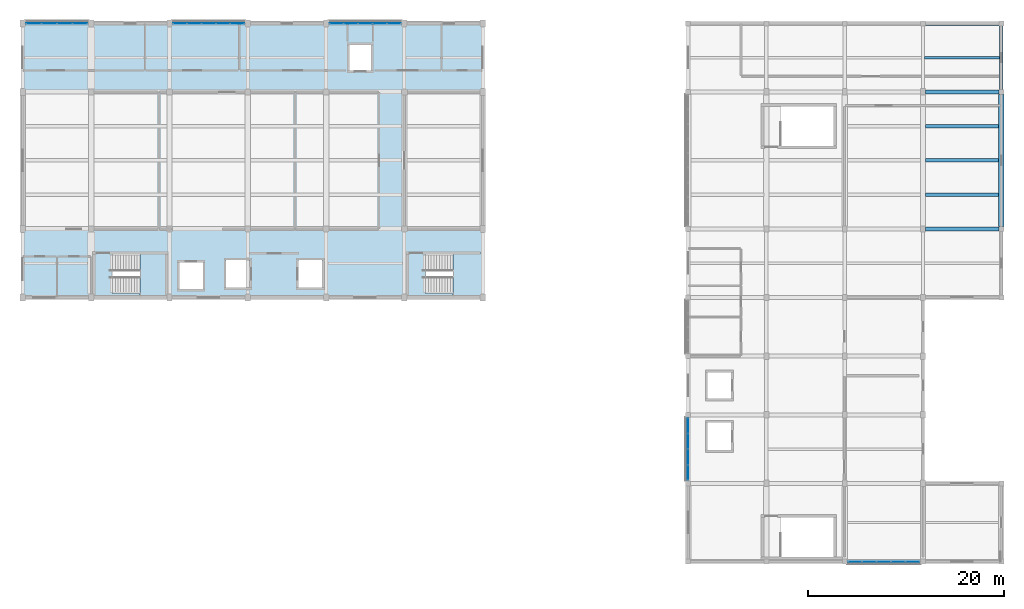
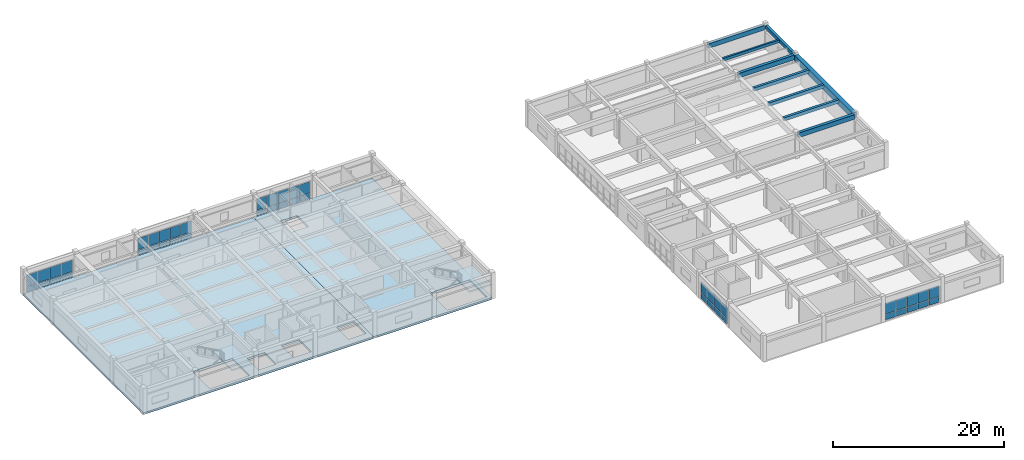
# One storey, part 8 of 17: 46 plates, 9 beams, 4 slabs, 7 elements without a shape of their own.
"""IFC4 building model written with IfcOpenShell, lengths in metres."""

from ifc_helpers import new_model, si_unit, direction, frame, origin, origin_2d, place, context, subcontext, project, spatial, polyline, rectangle, outline, extrude, material, layer, layer_set, material_profile, profile_set, type_object, element, aggregate, save


model = new_model("IFC4")

# Units and contexts
model_context = context("Model", 3, precision=1e-05, world=origin(), true_north=direction((0.0, 1.0)))
body_context = subcontext(model_context, "Body", "Model", "MODEL_VIEW")
ifc_project = project(units=[si_unit("LENGTHUNIT", "METRE"), si_unit("AREAUNIT", "SQUARE_METRE"), si_unit("VOLUMEUNIT", "CUBIC_METRE"), si_unit("PLANEANGLEUNIT", "RADIAN"), si_unit("MASSUNIT", "GRAM", prefix="KILO")], contexts=[model_context])

# Site, building, storey
site_placement = place(None, origin())
site = spatial("IfcSite", under=ifc_project, at=site_placement, CompositionType="ELEMENT")
building_placement = place(site_placement, origin())
building = spatial("IfcBuilding", under=site, at=building_placement, Name="Naurynzar Civic Courthouse", CompositionType="ELEMENT")
storey_placement = place(building_placement, frame((0.0, 0.0, 29.550048828125)))
storey = spatial("IfcBuildingStorey", under=building, at=storey_placement, Name="L08", CompositionType="ELEMENT", Elevation=29.550048828125)

# Beams
ifc_material_1 = material(Name="Concrete C40/50", Category="concrete")
ifc_material_profile_1 = material_profile(ifc_material_1, rectangle(XDim=0.25, YDim=0.39990234375, at=origin_2d()), Name="RCB 250x400")
ifc_profile_set_1 = profile_set([ifc_material_profile_1], Name="Concrete C40/50")
beam_type_1 = type_object("IfcBeamType", Name="BM-JST-250x400", PredefinedType="JOIST", material=ifc_profile_set_1)
beam_1_placement = place(storey_placement, frame((154.175048828125, 68.5, 3.22998046875), z_axis=(1.0, 0.0, 0.0), x_axis=(0.0, 1.0, 0.0)))
element("IfcBeam", 1, at=beam_1_placement, inside=storey, type_object=beam_type_1, Name="V5 secondary rib 2988 L08", PredefinedType="JOIST", context=body_context, shape_type="SweptSolid", body=[
    extrude(rectangle(XDim=0.25, YDim=0.39990234375, at=origin_2d()), origin(), (0.0, 0.0, 1.0), 7.64990234375),
])
ifc_material_2 = material(Name="Concrete C40/50", Category="concrete")
ifc_material_profile_2 = material_profile(ifc_material_2, rectangle(XDim=0.550048828125, YDim=0.85009765625, at=origin_2d()), Name="PTB 550x850")
ifc_profile_set_2 = profile_set([ifc_material_profile_2], Name="Concrete C40/50")
beam_type_2 = type_object("IfcBeamType", Name="BM-PT-550x850", PredefinedType="T_BEAM", material=ifc_profile_set_2)
beam_2_placement = place(storey_placement, frame((162.0, 51.25, 3.0048828125), z_axis=(0.0, 1.0, 0.0), x_axis=(-1.0, 0.0, 0.0)))
element("IfcBeam", 2, at=beam_2_placement, inside=storey, type_object=beam_type_2, Name="V5 girder Y-2965 L08", PredefinedType="T_BEAM", context=body_context, shape_type="SweptSolid", body=[
    extrude(rectangle(XDim=0.550048828125, YDim=0.85009765625, at=origin_2d()), origin(), (0.0, 0.0, 1.0), 13.5),
])
ifc_material_3 = material(Name="Concrete C40/50", Category="concrete")
ifc_material_profile_3 = material_profile(ifc_material_3, rectangle(XDim=0.35009765625, YDim=0.449951171875, at=origin_2d()), Name="RCB 350x450")
ifc_profile_set_3 = profile_set([ifc_material_profile_3], Name="Concrete C40/50")
beam_type_3 = type_object("IfcBeamType", Name="BM-RC-350x450", PredefinedType="BEAM", material=ifc_profile_set_3)
for number, where, z_axis, x_axis, name in (
    (3, (154.27490234375, 54.5, 3.204833984375), (1.0, 0.0, 0.0), (0.0, 1.0, 0.0), "V5 secondary rib 2982 L08"),
    (4, (154.27490234375, 58.0, 3.204833984375), (1.0, 0.0, 0.0), (0.0, 1.0, 0.0), "V5 secondary rib 2983 L08"),
    (5, (154.27490234375, 61.5, 3.204833984375), (1.0, 0.0, 0.0), (0.0, 1.0, 0.0), "V5 secondary rib 2984 L08"),
):
    element("IfcBeam", number, at=place(storey_placement, frame(where, z_axis=z_axis, x_axis=x_axis)), inside=storey, type_object=beam_type_3, Name=name, PredefinedType="BEAM", context=body_context, shape_type="SweptSolid", body=[
        extrude(rectangle(XDim=0.35009765625, YDim=0.449951171875, at=origin_2d()), origin(), (0.0, 0.0, 1.0), 7.4501953125),
    ])
ifc_material_4 = material(Name="Concrete C40/50", Category="concrete")
ifc_material_profile_4 = material_profile(ifc_material_4, rectangle(XDim=0.35009765625, YDim=0.5, at=origin_2d()), Name="RCB 350x500")
ifc_profile_set_4 = profile_set([ifc_material_profile_4], Name="Concrete C40/50")
beam_type_4 = type_object("IfcBeamType", Name="BM-RC-350x500", PredefinedType="BEAM", material=ifc_profile_set_4)
beam_3_placement = place(storey_placement, frame((162.0, 65.25, 3.179931640625), z_axis=(0.0, 1.0, 0.0), x_axis=(-1.0, 0.0, 0.0)))
element("IfcBeam", 6, at=beam_3_placement, inside=storey, type_object=beam_type_4, Name="V5 girder Y-2966 L08", PredefinedType="BEAM", context=body_context, shape_type="SweptSolid", body=[
    extrude(rectangle(XDim=0.35009765625, YDim=0.5, at=origin_2d()), origin(), (0.0, 0.0, 1.0), 6.5),
])
ifc_material_5 = material(Name="Concrete C40/50", Category="concrete")
ifc_material_profile_5 = material_profile(ifc_material_5, rectangle(XDim=0.39990234375, YDim=0.64990234375, at=origin_2d()), Name="RCB 400x650")
ifc_profile_set_5 = profile_set([ifc_material_profile_5], Name="Concrete C40/50")
beam_type_5 = type_object("IfcBeamType", Name="BM-RC-400x650", PredefinedType="BEAM", material=ifc_profile_set_5)
for number, where, z_axis, x_axis, name in (
    (7, (154.25, 51.0, 3.10498046875), (1.0, 0.0, 0.0), (0.0, 1.0, 0.0), "V5 beam X-2926 L08"),
    (8, (154.25, 65.0, 3.10498046875), (1.0, 0.0, 0.0), (0.0, 1.0, 0.0), "V5 beam X-2930 L08"),
    (9, (154.25, 72.0, 3.10498046875), (1.0, 0.0, 0.0), (0.0, 1.0, 0.0), "V5 beam X-2934 L08"),
):
    element("IfcBeam", number, at=place(storey_placement, frame(where, z_axis=z_axis, x_axis=x_axis)), inside=storey, type_object=beam_type_5, Name=name, PredefinedType="BEAM", context=body_context, shape_type="SweptSolid", body=[
        extrude(rectangle(XDim=0.39990234375, YDim=0.64990234375, at=origin_2d()), origin(), (0.0, 0.0, 1.0), 7.5),
    ])

# Curtain wall, plates
ifc_material_6 = material(Name="Aluminium 6063-T6", Category="aluminium")
ifc_layer_1 = layer(ifc_material_6, 0.179931640625)
ifc_layer_set_1 = layer_set([ifc_layer_1], Name="CW-UNIT-1500")
curtain_wall_type = type_object("IfcCurtainWallType", Name="CW-UNIT-1500", PredefinedType="NOTDEFINED", material=ifc_layer_set_1)
curtain_wall_1_placement = place(storey_placement, origin())
curtain_wall_1 = element("IfcCurtainWall", 10, at=curtain_wall_1_placement, inside=storey, type_object=curtain_wall_type, Name="V2 unitised curtain wall 54 L08", PredefinedType="NOTDEFINED")
ifc_material_7 = material(Name="Tempered Laminated Low-E Glass", Category="glass")
ifc_layer_2 = layer(ifc_material_7, 0.031982421875)
ifc_layer_set_2 = layer_set([ifc_layer_2], Name="CWP-IGU-32")
plate_type = type_object("IfcPlateType", Name="CWP-IGU-32", PredefinedType="CURTAIN_PANEL", material=ifc_layer_set_2)
plate_1_placement = place(storey_placement, frame((63.1337890625, 72.0, 0.06005859375), z_axis=(0.0, 0.0, 1.0), x_axis=(1.0, 0.0, 0.0)))
plate_1 = element("IfcPlate", 11, at=plate_1_placement, type_object=plate_type, Name="CW-01 panel 1.1", PredefinedType="CURTAIN_PANEL", context=body_context, shape_type="SweptSolid", body=[
    extrude(rectangle(XDim=1.49755859375, YDim=0.031982421875, at=origin_2d()), origin(), (0.0, 0.0, 1.0), 0.760009765625),
])
plate_2_placement = place(storey_placement, frame((63.1337890625, 72.0, 0.8798828125), z_axis=(0.0, 0.0, 1.0), x_axis=(1.0, 0.0, 0.0)))
plate_2 = element("IfcPlate", 12, at=plate_2_placement, type_object=plate_type, Name="CW-01 panel 1.2", PredefinedType="CURTAIN_PANEL", context=body_context, shape_type="SweptSolid", body=[
    extrude(rectangle(XDim=1.49755859375, YDim=0.031982421875, at=origin_2d()), origin(), (0.0, 0.0, 1.0), 1.6201171875),
])
plate_3_placement = place(storey_placement, frame((64.706298828125, 72.0, 0.06005859375), z_axis=(0.0, 0.0, 1.0), x_axis=(1.0, 0.0, 0.0)))
plate_3 = element("IfcPlate", 13, at=plate_3_placement, type_object=plate_type, Name="CW-01 panel 2.1", PredefinedType="CURTAIN_PANEL", context=body_context, shape_type="SweptSolid", body=[
    extrude(rectangle(XDim=1.527587890625, YDim=0.031982421875, at=origin_2d()), origin(), (0.0, 0.0, 1.0), 0.760009765625),
])
plate_4_placement = place(storey_placement, frame((64.706298828125, 72.0, 0.8798828125), z_axis=(0.0, 0.0, 1.0), x_axis=(1.0, 0.0, 0.0)))
plate_4 = element("IfcPlate", 14, at=plate_4_placement, type_object=plate_type, Name="CW-01 panel 2.2", PredefinedType="CURTAIN_PANEL", context=body_context, shape_type="SweptSolid", body=[
    extrude(rectangle(XDim=1.527587890625, YDim=0.031982421875, at=origin_2d()), origin(), (0.0, 0.0, 1.0), 1.6201171875),
])
plate_5_placement = place(storey_placement, frame((66.293701171875, 72.0, 0.06005859375), z_axis=(0.0, 0.0, 1.0), x_axis=(1.0, 0.0, 0.0)))
plate_5 = element("IfcPlate", 15, at=plate_5_placement, type_object=plate_type, Name="CW-01 panel 3.1", PredefinedType="CURTAIN_PANEL", context=body_context, shape_type="SweptSolid", body=[
    extrude(rectangle(XDim=1.527587890625, YDim=0.031982421875, at=origin_2d()), origin(), (0.0, 0.0, 1.0), 0.760009765625),
])
plate_6_placement = place(storey_placement, frame((66.293701171875, 72.0, 0.8798828125), z_axis=(0.0, 0.0, 1.0), x_axis=(1.0, 0.0, 0.0)))
plate_6 = element("IfcPlate", 16, at=plate_6_placement, type_object=plate_type, Name="CW-01 panel 3.2", PredefinedType="CURTAIN_PANEL", context=body_context, shape_type="SweptSolid", body=[
    extrude(rectangle(XDim=1.527587890625, YDim=0.031982421875, at=origin_2d()), origin(), (0.0, 0.0, 1.0), 1.6201171875),
])
plate_7_placement = place(storey_placement, frame((67.8662109375, 72.0, 0.06005859375), z_axis=(0.0, 0.0, 1.0), x_axis=(1.0, 0.0, 0.0)))
plate_7 = element("IfcPlate", 17, at=plate_7_placement, type_object=plate_type, Name="CW-01 panel 4.1", PredefinedType="CURTAIN_PANEL", context=body_context, shape_type="SweptSolid", body=[
    extrude(rectangle(XDim=1.49755859375, YDim=0.031982421875, at=origin_2d()), origin(), (0.0, 0.0, 1.0), 0.760009765625),
])
plate_8_placement = place(storey_placement, frame((67.8662109375, 72.0, 0.8798828125), z_axis=(0.0, 0.0, 1.0), x_axis=(1.0, 0.0, 0.0)))
plate_8 = element("IfcPlate", 18, at=plate_8_placement, type_object=plate_type, Name="CW-01 panel 4.2", PredefinedType="CURTAIN_PANEL", context=body_context, shape_type="SweptSolid", body=[
    extrude(rectangle(XDim=1.49755859375, YDim=0.031982421875, at=origin_2d()), origin(), (0.0, 0.0, 1.0), 1.6201171875),
])
aggregate(curtain_wall_1, [plate_1, plate_2, plate_3, plate_4, plate_5, plate_6, plate_7, plate_8])

curtain_wall_2_placement = place(storey_placement, origin())
curtain_wall_2 = element("IfcCurtainWall", 19, at=curtain_wall_2_placement, inside=storey, type_object=curtain_wall_type, Name="V2 unitised curtain wall 55 L08", PredefinedType="NOTDEFINED")
plate_9_placement = place(storey_placement, frame((78.074951171875, 72.0, 0.06005859375), z_axis=(0.0, 0.0, 1.0), x_axis=(1.0, 0.0, 0.0)))
plate_9 = element("IfcPlate", 20, at=plate_9_placement, type_object=plate_type, Name="CW-01 panel 1.1", PredefinedType="CURTAIN_PANEL", context=body_context, shape_type="SweptSolid", body=[
    extrude(rectangle(XDim=1.3798828125, YDim=0.031982421875, at=origin_2d()), origin(), (0.0, 0.0, 1.0), 0.760009765625),
])
plate_10_placement = place(storey_placement, frame((78.074951171875, 72.0, 0.8798828125), z_axis=(0.0, 0.0, 1.0), x_axis=(1.0, 0.0, 0.0)))
plate_10 = element("IfcPlate", 21, at=plate_10_placement, type_object=plate_type, Name="CW-01 panel 1.2", PredefinedType="CURTAIN_PANEL", context=body_context, shape_type="SweptSolid", body=[
    extrude(rectangle(XDim=1.3798828125, YDim=0.031982421875, at=origin_2d()), origin(), (0.0, 0.0, 1.0), 1.6201171875),
])
plate_11_placement = place(storey_placement, frame((79.530029296875, 72.0, 0.06005859375), z_axis=(0.0, 0.0, 1.0), x_axis=(1.0, 0.0, 0.0)))
plate_11 = element("IfcPlate", 22, at=plate_11_placement, type_object=plate_type, Name="CW-01 panel 2.1", PredefinedType="CURTAIN_PANEL", context=body_context, shape_type="SweptSolid", body=[
    extrude(rectangle(XDim=1.409912109375, YDim=0.031982421875, at=origin_2d()), origin(), (0.0, 0.0, 1.0), 0.760009765625),
])
plate_12_placement = place(storey_placement, frame((79.530029296875, 72.0, 0.8798828125), z_axis=(0.0, 0.0, 1.0), x_axis=(1.0, 0.0, 0.0)))
plate_12 = element("IfcPlate", 23, at=plate_12_placement, type_object=plate_type, Name="CW-01 panel 2.2", PredefinedType="CURTAIN_PANEL", context=body_context, shape_type="SweptSolid", body=[
    extrude(rectangle(XDim=1.409912109375, YDim=0.031982421875, at=origin_2d()), origin(), (0.0, 0.0, 1.0), 1.6201171875),
])
plate_13_placement = place(storey_placement, frame((81.0, 72.0, 0.06005859375), z_axis=(0.0, 0.0, 1.0), x_axis=(1.0, 0.0, 0.0)))
plate_13 = element("IfcPlate", 24, at=plate_13_placement, type_object=plate_type, Name="CW-01 panel 3.1", PredefinedType="CURTAIN_PANEL", context=body_context, shape_type="SweptSolid", body=[
    extrude(rectangle(XDim=1.409912109375, YDim=0.031982421875, at=origin_2d()), origin(), (0.0, 0.0, 1.0), 0.760009765625),
])
plate_14_placement = place(storey_placement, frame((81.0, 72.0, 0.8798828125), z_axis=(0.0, 0.0, 1.0), x_axis=(1.0, 0.0, 0.0)))
plate_14 = element("IfcPlate", 25, at=plate_14_placement, type_object=plate_type, Name="CW-01 panel 3.2", PredefinedType="CURTAIN_PANEL", context=body_context, shape_type="SweptSolid", body=[
    extrude(rectangle(XDim=1.409912109375, YDim=0.031982421875, at=origin_2d()), origin(), (0.0, 0.0, 1.0), 1.6201171875),
])
plate_15_placement = place(storey_placement, frame((82.469970703125, 72.0, 0.06005859375), z_axis=(0.0, 0.0, 1.0), x_axis=(1.0, 0.0, 0.0)))
plate_15 = element("IfcPlate", 26, at=plate_15_placement, type_object=plate_type, Name="CW-01 panel 4.1", PredefinedType="CURTAIN_PANEL", context=body_context, shape_type="SweptSolid", body=[
    extrude(rectangle(XDim=1.409912109375, YDim=0.031982421875, at=origin_2d()), origin(), (0.0, 0.0, 1.0), 0.760009765625),
])
plate_16_placement = place(storey_placement, frame((82.469970703125, 72.0, 0.8798828125), z_axis=(0.0, 0.0, 1.0), x_axis=(1.0, 0.0, 0.0)))
plate_16 = element("IfcPlate", 27, at=plate_16_placement, type_object=plate_type, Name="CW-01 panel 4.2", PredefinedType="CURTAIN_PANEL", context=body_context, shape_type="SweptSolid", body=[
    extrude(rectangle(XDim=1.409912109375, YDim=0.031982421875, at=origin_2d()), origin(), (0.0, 0.0, 1.0), 1.6201171875),
])
plate_17_placement = place(storey_placement, frame((83.925048828125, 72.0, 0.06005859375), z_axis=(0.0, 0.0, 1.0), x_axis=(1.0, 0.0, 0.0)))
plate_17 = element("IfcPlate", 28, at=plate_17_placement, type_object=plate_type, Name="CW-01 panel 5.1", PredefinedType="CURTAIN_PANEL", context=body_context, shape_type="SweptSolid", body=[
    extrude(rectangle(XDim=1.3798828125, YDim=0.031982421875, at=origin_2d()), origin(), (0.0, 0.0, 1.0), 0.760009765625),
])
plate_18_placement = place(storey_placement, frame((83.925048828125, 72.0, 0.8798828125), z_axis=(0.0, 0.0, 1.0), x_axis=(1.0, 0.0, 0.0)))
plate_18 = element("IfcPlate", 29, at=plate_18_placement, type_object=plate_type, Name="CW-01 panel 5.2", PredefinedType="CURTAIN_PANEL", context=body_context, shape_type="SweptSolid", body=[
    extrude(rectangle(XDim=1.3798828125, YDim=0.031982421875, at=origin_2d()), origin(), (0.0, 0.0, 1.0), 1.6201171875),
])
aggregate(curtain_wall_2, [plate_9, plate_10, plate_11, plate_12, plate_13, plate_14, plate_15, plate_16, plate_17, plate_18])

curtain_wall_3_placement = place(storey_placement, origin())
curtain_wall_3 = element("IfcCurtainWall", 30, at=curtain_wall_3_placement, inside=storey, type_object=curtain_wall_type, Name="V2 unitised curtain wall 56 L08", PredefinedType="NOTDEFINED")
plate_19_placement = place(storey_placement, frame((94.074951171875, 72.0, 0.06005859375), z_axis=(0.0, 0.0, 1.0), x_axis=(1.0, 0.0, 0.0)))
plate_19 = element("IfcPlate", 31, at=plate_19_placement, type_object=plate_type, Name="CW-01 panel 1.1", PredefinedType="CURTAIN_PANEL", context=body_context, shape_type="SweptSolid", body=[
    extrude(rectangle(XDim=1.3798828125, YDim=0.031982421875, at=origin_2d()), origin(), (0.0, 0.0, 1.0), 0.760009765625),
])
plate_20_placement = place(storey_placement, frame((94.074951171875, 72.0, 0.8798828125), z_axis=(0.0, 0.0, 1.0), x_axis=(1.0, 0.0, 0.0)))
plate_20 = element("IfcPlate", 32, at=plate_20_placement, type_object=plate_type, Name="CW-01 panel 1.2", PredefinedType="CURTAIN_PANEL", context=body_context, shape_type="SweptSolid", body=[
    extrude(rectangle(XDim=1.3798828125, YDim=0.031982421875, at=origin_2d()), origin(), (0.0, 0.0, 1.0), 1.6201171875),
])
plate_21_placement = place(storey_placement, frame((95.530029296875, 72.0, 0.06005859375), z_axis=(0.0, 0.0, 1.0), x_axis=(1.0, 0.0, 0.0)))
plate_21 = element("IfcPlate", 33, at=plate_21_placement, type_object=plate_type, Name="CW-01 panel 2.1", PredefinedType="CURTAIN_PANEL", context=body_context, shape_type="SweptSolid", body=[
    extrude(rectangle(XDim=1.409912109375, YDim=0.031982421875, at=origin_2d()), origin(), (0.0, 0.0, 1.0), 0.760009765625),
])
plate_22_placement = place(storey_placement, frame((95.530029296875, 72.0, 0.8798828125), z_axis=(0.0, 0.0, 1.0), x_axis=(1.0, 0.0, 0.0)))
plate_22 = element("IfcPlate", 34, at=plate_22_placement, type_object=plate_type, Name="CW-01 panel 2.2", PredefinedType="CURTAIN_PANEL", context=body_context, shape_type="SweptSolid", body=[
    extrude(rectangle(XDim=1.409912109375, YDim=0.031982421875, at=origin_2d()), origin(), (0.0, 0.0, 1.0), 1.6201171875),
])
plate_23_placement = place(storey_placement, frame((97.0, 72.0, 0.06005859375), z_axis=(0.0, 0.0, 1.0), x_axis=(1.0, 0.0, 0.0)))
plate_23 = element("IfcPlate", 35, at=plate_23_placement, type_object=plate_type, Name="CW-01 panel 3.1", PredefinedType="CURTAIN_PANEL", context=body_context, shape_type="SweptSolid", body=[
    extrude(rectangle(XDim=1.409912109375, YDim=0.031982421875, at=origin_2d()), origin(), (0.0, 0.0, 1.0), 0.760009765625),
])
plate_24_placement = place(storey_placement, frame((97.0, 72.0, 0.8798828125), z_axis=(0.0, 0.0, 1.0), x_axis=(1.0, 0.0, 0.0)))
plate_24 = element("IfcPlate", 36, at=plate_24_placement, type_object=plate_type, Name="CW-01 panel 3.2", PredefinedType="CURTAIN_PANEL", context=body_context, shape_type="SweptSolid", body=[
    extrude(rectangle(XDim=1.409912109375, YDim=0.031982421875, at=origin_2d()), origin(), (0.0, 0.0, 1.0), 1.6201171875),
])
plate_25_placement = place(storey_placement, frame((98.469970703125, 72.0, 0.06005859375), z_axis=(0.0, 0.0, 1.0), x_axis=(1.0, 0.0, 0.0)))
plate_25 = element("IfcPlate", 37, at=plate_25_placement, type_object=plate_type, Name="CW-01 panel 4.1", PredefinedType="CURTAIN_PANEL", context=body_context, shape_type="SweptSolid", body=[
    extrude(rectangle(XDim=1.409912109375, YDim=0.031982421875, at=origin_2d()), origin(), (0.0, 0.0, 1.0), 0.760009765625),
])
plate_26_placement = place(storey_placement, frame((98.469970703125, 72.0, 0.8798828125), z_axis=(0.0, 0.0, 1.0), x_axis=(1.0, 0.0, 0.0)))
plate_26 = element("IfcPlate", 38, at=plate_26_placement, type_object=plate_type, Name="CW-01 panel 4.2", PredefinedType="CURTAIN_PANEL", context=body_context, shape_type="SweptSolid", body=[
    extrude(rectangle(XDim=1.409912109375, YDim=0.031982421875, at=origin_2d()), origin(), (0.0, 0.0, 1.0), 1.6201171875),
])
plate_27_placement = place(storey_placement, frame((99.925048828125, 72.0, 0.06005859375), z_axis=(0.0, 0.0, 1.0), x_axis=(1.0, 0.0, 0.0)))
plate_27 = element("IfcPlate", 39, at=plate_27_placement, type_object=plate_type, Name="CW-01 panel 5.1", PredefinedType="CURTAIN_PANEL", context=body_context, shape_type="SweptSolid", body=[
    extrude(rectangle(XDim=1.3798828125, YDim=0.031982421875, at=origin_2d()), origin(), (0.0, 0.0, 1.0), 0.760009765625),
])
plate_28_placement = place(storey_placement, frame((99.925048828125, 72.0, 0.8798828125), z_axis=(0.0, 0.0, 1.0), x_axis=(1.0, 0.0, 0.0)))
plate_28 = element("IfcPlate", 40, at=plate_28_placement, type_object=plate_type, Name="CW-01 panel 5.2", PredefinedType="CURTAIN_PANEL", context=body_context, shape_type="SweptSolid", body=[
    extrude(rectangle(XDim=1.3798828125, YDim=0.031982421875, at=origin_2d()), origin(), (0.0, 0.0, 1.0), 1.6201171875),
])
aggregate(curtain_wall_3, [plate_19, plate_20, plate_21, plate_22, plate_23, plate_24, plate_25, plate_26, plate_27, plate_28])

curtain_wall_4_placement = place(storey_placement, origin())
curtain_wall_4 = element("IfcCurtainWall", 41, at=curtain_wall_4_placement, inside=storey, type_object=curtain_wall_type, Name="V5 unitised curtain wall 117 L08", PredefinedType="NOTDEFINED")
plate_29_placement = place(storey_placement, frame((130.0, 26.114990234375, 0.06005859375), z_axis=(0.0, 0.0, 1.0), x_axis=(0.0, 1.0, 0.0)))
plate_29 = element("IfcPlate", 42, at=plate_29_placement, type_object=plate_type, Name="CW-01 panel 1.1", PredefinedType="CURTAIN_PANEL", context=body_context, shape_type="SweptSolid", body=[
    extrude(rectangle(XDim=1.510009765625, YDim=0.031982421875, at=origin_2d()), origin(), (0.0, 0.0, 1.0), 0.760009765625),
])
plate_30_placement = place(storey_placement, frame((130.0, 26.114990234375, 0.8798828125), z_axis=(0.0, 0.0, 1.0), x_axis=(0.0, 1.0, 0.0)))
plate_30 = element("IfcPlate", 43, at=plate_30_placement, type_object=plate_type, Name="CW-01 panel 1.2", PredefinedType="CURTAIN_PANEL", context=body_context, shape_type="SweptSolid", body=[
    extrude(rectangle(XDim=1.510009765625, YDim=0.031982421875, at=origin_2d()), origin(), (0.0, 0.0, 1.0), 1.570068359375),
])
plate_31_placement = place(storey_placement, frame((130.0, 27.699951171875, 0.06005859375), z_axis=(0.0, 0.0, 1.0), x_axis=(0.0, 1.0, 0.0)))
plate_31 = element("IfcPlate", 44, at=plate_31_placement, type_object=plate_type, Name="CW-01 panel 2.1", PredefinedType="CURTAIN_PANEL", context=body_context, shape_type="SweptSolid", body=[
    extrude(rectangle(XDim=1.5400390625, YDim=0.031982421875, at=origin_2d()), origin(), (0.0, 0.0, 1.0), 0.760009765625),
])
plate_32_placement = place(storey_placement, frame((130.0, 27.699951171875, 0.8798828125), z_axis=(0.0, 0.0, 1.0), x_axis=(0.0, 1.0, 0.0)))
plate_32 = element("IfcPlate", 45, at=plate_32_placement, type_object=plate_type, Name="CW-01 panel 2.2", PredefinedType="CURTAIN_PANEL", context=body_context, shape_type="SweptSolid", body=[
    extrude(rectangle(XDim=1.5400390625, YDim=0.031982421875, at=origin_2d()), origin(), (0.0, 0.0, 1.0), 1.570068359375),
])
plate_33_placement = place(storey_placement, frame((130.0, 29.300048828125, 0.06005859375), z_axis=(0.0, 0.0, 1.0), x_axis=(0.0, 1.0, 0.0)))
plate_33 = element("IfcPlate", 46, at=plate_33_placement, type_object=plate_type, Name="CW-01 panel 3.1", PredefinedType="CURTAIN_PANEL", context=body_context, shape_type="SweptSolid", body=[
    extrude(rectangle(XDim=1.5400390625, YDim=0.031982421875, at=origin_2d()), origin(), (0.0, 0.0, 1.0), 0.760009765625),
])
plate_34_placement = place(storey_placement, frame((130.0, 29.300048828125, 0.8798828125), z_axis=(0.0, 0.0, 1.0), x_axis=(0.0, 1.0, 0.0)))
plate_34 = element("IfcPlate", 47, at=plate_34_placement, type_object=plate_type, Name="CW-01 panel 3.2", PredefinedType="CURTAIN_PANEL", context=body_context, shape_type="SweptSolid", body=[
    extrude(rectangle(XDim=1.5400390625, YDim=0.031982421875, at=origin_2d()), origin(), (0.0, 0.0, 1.0), 1.570068359375),
])
plate_35_placement = place(storey_placement, frame((130.0, 30.885009765625, 0.06005859375), z_axis=(0.0, 0.0, 1.0), x_axis=(0.0, 1.0, 0.0)))
plate_35 = element("IfcPlate", 48, at=plate_35_placement, type_object=plate_type, Name="CW-01 panel 4.1", PredefinedType="CURTAIN_PANEL", context=body_context, shape_type="SweptSolid", body=[
    extrude(rectangle(XDim=1.510009765625, YDim=0.031982421875, at=origin_2d()), origin(), (0.0, 0.0, 1.0), 0.760009765625),
])
plate_36_placement = place(storey_placement, frame((130.0, 30.885009765625, 0.8798828125), z_axis=(0.0, 0.0, 1.0), x_axis=(0.0, 1.0, 0.0)))
plate_36 = element("IfcPlate", 49, at=plate_36_placement, type_object=plate_type, Name="CW-01 panel 4.2", PredefinedType="CURTAIN_PANEL", context=body_context, shape_type="SweptSolid", body=[
    extrude(rectangle(XDim=1.510009765625, YDim=0.031982421875, at=origin_2d()), origin(), (0.0, 0.0, 1.0), 1.570068359375),
])
aggregate(curtain_wall_4, [plate_29, plate_30, plate_31, plate_32, plate_33, plate_34, plate_35, plate_36])

curtain_wall_5_placement = place(storey_placement, origin())
curtain_wall_5 = element("IfcCurtainWall", 50, at=curtain_wall_5_placement, inside=storey, type_object=curtain_wall_type, Name="V5 unitised curtain wall 120 L08", PredefinedType="NOTDEFINED")
plate_37_placement = place(storey_placement, frame((152.945068359375, 17.0, 0.06005859375), z_axis=(0.0, 0.0, 1.0), x_axis=(-1.0, 0.0, 0.0)))
plate_37 = element("IfcPlate", 51, at=plate_37_placement, type_object=plate_type, Name="CW-01 panel 1.1", PredefinedType="CURTAIN_PANEL", context=body_context, shape_type="SweptSolid", body=[
    extrude(rectangle(XDim=1.389892578125, YDim=0.031982421875, at=origin_2d()), origin(), (0.0, 0.0, 1.0), 0.760009765625),
])
plate_38_placement = place(storey_placement, frame((152.945068359375, 17.0, 0.8798828125), z_axis=(0.0, 0.0, 1.0), x_axis=(-1.0, 0.0, 0.0)))
plate_38 = element("IfcPlate", 52, at=plate_38_placement, type_object=plate_type, Name="CW-01 panel 1.2", PredefinedType="CURTAIN_PANEL", context=body_context, shape_type="SweptSolid", body=[
    extrude(rectangle(XDim=1.389892578125, YDim=0.031982421875, at=origin_2d()), origin(), (0.0, 0.0, 1.0), 1.570068359375),
])
plate_39_placement = place(storey_placement, frame((151.47998046875, 17.0, 0.06005859375), z_axis=(0.0, 0.0, 1.0), x_axis=(-1.0, 0.0, 0.0)))
plate_39 = element("IfcPlate", 53, at=plate_39_placement, type_object=plate_type, Name="CW-01 panel 2.1", PredefinedType="CURTAIN_PANEL", context=body_context, shape_type="SweptSolid", body=[
    extrude(rectangle(XDim=1.419921875, YDim=0.031982421875, at=origin_2d()), origin(), (0.0, 0.0, 1.0), 0.760009765625),
])
plate_40_placement = place(storey_placement, frame((151.47998046875, 17.0, 0.8798828125), z_axis=(0.0, 0.0, 1.0), x_axis=(-1.0, 0.0, 0.0)))
plate_40 = element("IfcPlate", 54, at=plate_40_placement, type_object=plate_type, Name="CW-01 panel 2.2", PredefinedType="CURTAIN_PANEL", context=body_context, shape_type="SweptSolid", body=[
    extrude(rectangle(XDim=1.419921875, YDim=0.031982421875, at=origin_2d()), origin(), (0.0, 0.0, 1.0), 1.570068359375),
])
plate_41_placement = place(storey_placement, frame((150.0, 17.0, 0.06005859375), z_axis=(0.0, 0.0, 1.0), x_axis=(-1.0, 0.0, 0.0)))
plate_41 = element("IfcPlate", 55, at=plate_41_placement, type_object=plate_type, Name="CW-01 panel 3.1", PredefinedType="CURTAIN_PANEL", context=body_context, shape_type="SweptSolid", body=[
    extrude(rectangle(XDim=1.419921875, YDim=0.031982421875, at=origin_2d()), origin(), (0.0, 0.0, 1.0), 0.760009765625),
])
plate_42_placement = place(storey_placement, frame((150.0, 17.0, 0.8798828125), z_axis=(0.0, 0.0, 1.0), x_axis=(-1.0, 0.0, 0.0)))
plate_42 = element("IfcPlate", 56, at=plate_42_placement, type_object=plate_type, Name="CW-01 panel 3.2", PredefinedType="CURTAIN_PANEL", context=body_context, shape_type="SweptSolid", body=[
    extrude(rectangle(XDim=1.419921875, YDim=0.031982421875, at=origin_2d()), origin(), (0.0, 0.0, 1.0), 1.570068359375),
])
plate_43_placement = place(storey_placement, frame((148.52001953125, 17.0, 0.06005859375), z_axis=(0.0, 0.0, 1.0), x_axis=(-1.0, 0.0, 0.0)))
plate_43 = element("IfcPlate", 57, at=plate_43_placement, type_object=plate_type, Name="CW-01 panel 4.1", PredefinedType="CURTAIN_PANEL", context=body_context, shape_type="SweptSolid", body=[
    extrude(rectangle(XDim=1.419921875, YDim=0.031982421875, at=origin_2d()), origin(), (0.0, 0.0, 1.0), 0.760009765625),
])
plate_44_placement = place(storey_placement, frame((148.52001953125, 17.0, 0.8798828125), z_axis=(0.0, 0.0, 1.0), x_axis=(-1.0, 0.0, 0.0)))
plate_44 = element("IfcPlate", 58, at=plate_44_placement, type_object=plate_type, Name="CW-01 panel 4.2", PredefinedType="CURTAIN_PANEL", context=body_context, shape_type="SweptSolid", body=[
    extrude(rectangle(XDim=1.419921875, YDim=0.031982421875, at=origin_2d()), origin(), (0.0, 0.0, 1.0), 1.570068359375),
])
plate_45_placement = place(storey_placement, frame((147.054931640625, 17.0, 0.06005859375), z_axis=(0.0, 0.0, 1.0), x_axis=(-1.0, 0.0, 0.0)))
plate_45 = element("IfcPlate", 59, at=plate_45_placement, type_object=plate_type, Name="CW-01 panel 5.1", PredefinedType="CURTAIN_PANEL", context=body_context, shape_type="SweptSolid", body=[
    extrude(rectangle(XDim=1.389892578125, YDim=0.031982421875, at=origin_2d()), origin(), (0.0, 0.0, 1.0), 0.760009765625),
])
plate_46_placement = place(storey_placement, frame((147.054931640625, 17.0, 0.8798828125), z_axis=(0.0, 0.0, 1.0), x_axis=(-1.0, 0.0, 0.0)))
plate_46 = element("IfcPlate", 60, at=plate_46_placement, type_object=plate_type, Name="CW-01 panel 5.2", PredefinedType="CURTAIN_PANEL", context=body_context, shape_type="SweptSolid", body=[
    extrude(rectangle(XDim=1.389892578125, YDim=0.031982421875, at=origin_2d()), origin(), (0.0, 0.0, 1.0), 1.570068359375),
])
aggregate(curtain_wall_5, [plate_37, plate_38, plate_39, plate_40, plate_41, plate_42, plate_43, plate_44, plate_45, plate_46])

# Stair, slab
ifc_material_8 = material(Name="Concrete C35/45", Category="concrete")
stair_type = type_object("IfcStairType", Name="STAIR-CORE-1600", PredefinedType="TWO_STRAIGHT_RUN_STAIR", material=ifc_material_8)
stair_1_placement = place(storey_placement, origin())
stair_1 = element("IfcStair", 61, at=stair_1_placement, inside=storey, type_object=stair_type, Name="Enclosed escape stair ST-V2A L08", PredefinedType="TWO_STRAIGHT_RUN_STAIR")
ifc_material_9 = material(Name="Concrete C35/45", Category="concrete")
ifc_layer_3 = layer(ifc_material_9, 0.199951171875)
ifc_layer_set_3 = layer_set([ifc_layer_3], Name="SLB-LAND-200")
slab_type_1 = type_object("IfcSlabType", Name="SLB-LAND-200", PredefinedType="LANDING", material=ifc_layer_set_3)
slab_1_placement = place(storey_placement, frame((0.0, 0.0, 1.675048828125)))
slab_1 = element("IfcSlab", 62, at=slab_1_placement, type_object=slab_type_1, Name="ST-V2A-L08 landing 1", PredefinedType="LANDING", context=body_context, shape_type="SweptSolid", body=[
    extrude(outline(polyline([(73.97998046875, 44.080078125), (76.669921875, 44.080078125), (76.669921875, 48.52001953125), (73.97998046875, 48.52001953125), (73.97998046875, 44.080078125)])), origin(), (0.0, 0.0, 1.0), 0.199951171875),
])
aggregate(stair_1, [slab_1])

stair_2_placement = place(storey_placement, origin())
stair_2 = element("IfcStair", 63, at=stair_2_placement, inside=storey, type_object=stair_type, Name="Enclosed escape stair ST-V2B L08", PredefinedType="TWO_STRAIGHT_RUN_STAIR")
slab_2_placement = place(storey_placement, frame((0.0, 0.0, 1.675048828125)))
slab_2 = element("IfcSlab", 64, at=slab_2_placement, type_object=slab_type_1, Name="ST-V2B-L08 landing 1", PredefinedType="LANDING", context=body_context, shape_type="SweptSolid", body=[
    extrude(outline(polyline([(105.97998046875, 44.080078125), (108.919921875, 44.080078125), (108.919921875, 48.52001953125), (105.97998046875, 48.52001953125), (105.97998046875, 44.080078125)])), origin(), (0.0, 0.0, 1.0), 0.199951171875),
])
aggregate(stair_2, [slab_2])

# Slabs
ifc_material_10 = material(Name="Concrete C35/45", Category="concrete")
ifc_layer_4 = layer(ifc_material_10, 0.280029296875)
ifc_layer_set_4 = layer_set([ifc_layer_4], Name="SLB-PT-280")
slab_type_2 = type_object("IfcSlabType", Name="SLB-PT-280", PredefinedType="FLOOR", material=ifc_layer_set_4)
slab_3_placement = place(storey_placement, frame((0.0, 0.0, -0.280029296875)))
element("IfcSlab", 65, at=slab_3_placement, inside=storey, type_object=slab_type_2, Name="V2 floor slab L08 W", PredefinedType="FLOOR", context=body_context, shape_type="SweptSolid", body=[
    extrude(outline(polyline([(93.0, 44.0), (93.0, 72.0), (62.0, 72.0), (62.0, 44.0), (93.0, 44.0)]), holes=[polyline([(71.179931640625, 44.39990234375), (76.550048828125, 44.39990234375), (76.550048828125, 48.39990234375), (71.179931640625, 48.39990234375), (71.179931640625, 44.39990234375)]), polyline([(78.0, 44.85009765625), (80.39990234375, 44.85009765625), (80.39990234375, 47.550048828125), (78.0, 47.550048828125), (78.0, 44.85009765625)]), polyline([(82.800048828125, 45.0), (85.199951171875, 45.0), (85.199951171875, 47.800048828125), (82.800048828125, 47.800048828125), (82.800048828125, 45.0)]), polyline([(90.199951171875, 45.0), (92.60009765625, 45.0), (92.60009765625, 47.800048828125), (90.199951171875, 47.800048828125), (90.199951171875, 45.0)])]), origin(), (0.0, 0.0, 1.0), 0.280029296875),
])
slab_4_placement = place(storey_placement, frame((0.0, 0.0, -0.280029296875)))
element("IfcSlab", 66, at=slab_4_placement, inside=storey, type_object=slab_type_2, Name="V2 floor slab L08 E", PredefinedType="FLOOR", context=body_context, shape_type="SweptSolid", body=[
    extrude(outline(polyline([(109.0, 44.0), (109.0, 72.0), (93.0, 72.0), (93.0, 44.0), (109.0, 44.0)]), holes=[polyline([(103.179931640625, 44.39990234375), (108.550048828125, 44.39990234375), (108.550048828125, 48.39990234375), (103.179931640625, 48.39990234375), (103.179931640625, 44.39990234375)]), polyline([(95.39990234375, 67.199951171875), (97.60009765625, 67.199951171875), (97.60009765625, 69.800048828125), (95.39990234375, 69.800048828125), (95.39990234375, 67.199951171875)])]), origin(), (0.0, 0.0, 1.0), 0.280029296875),
])

save(model, "model.ifc")
